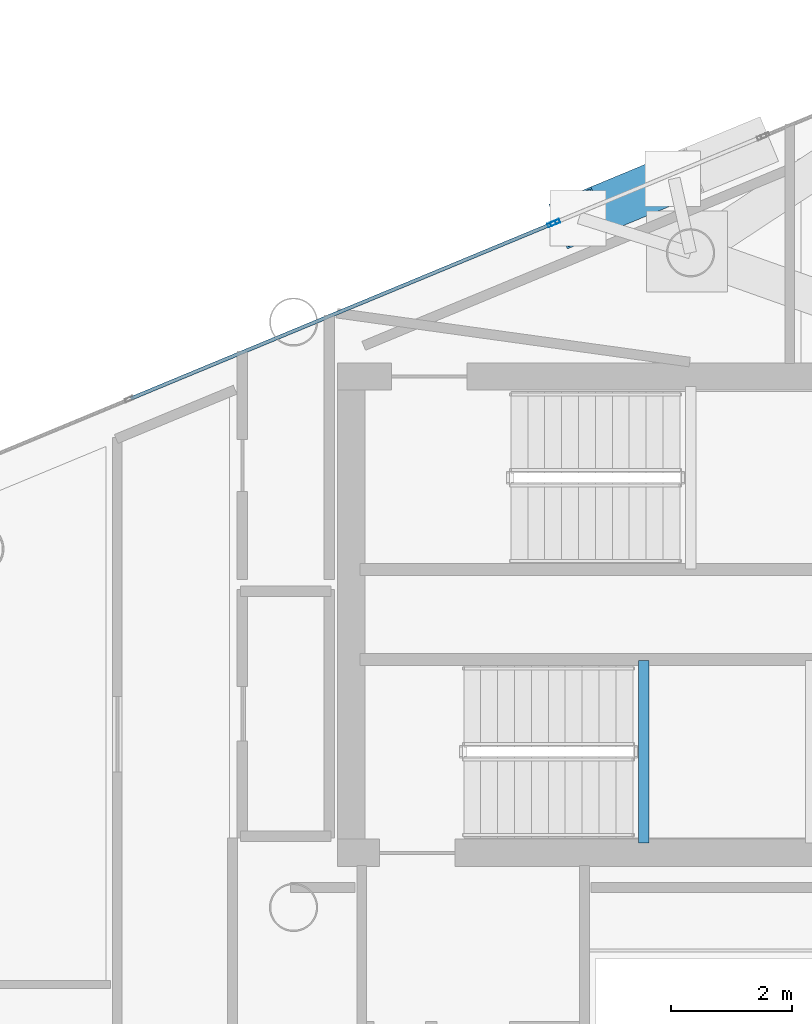
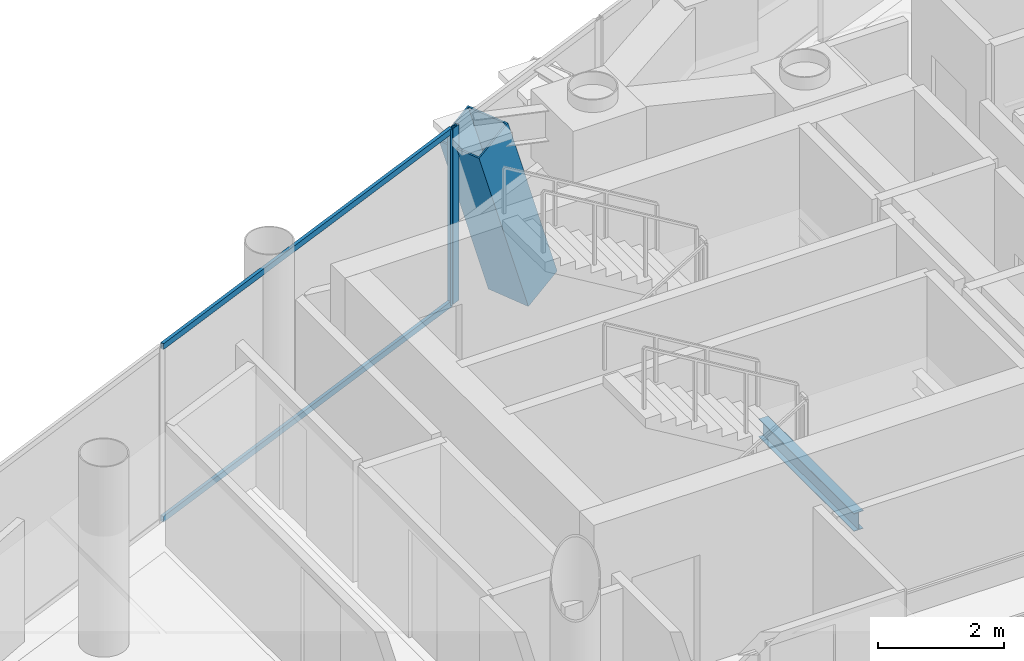
# One storey, part 7 of 18: 5 members, 1 beam, 2 elements without a shape of their own.
"""IFC4 building model written with IfcOpenShell, lengths in metres."""

from ifc_helpers import new_model, si_unit, direction, frame, origin, origin_2d, place, context, subcontext, project, spatial, hollow_rectangle, i_section, extrude, material, layer, layer_set, material_profile, profile_set, type_object, element, aggregate, save


model = new_model("IFC4")

# Units and contexts
model_context = context("Model", 3, precision=1e-05, world=origin(), true_north=direction((0.0, 1.0)))
body_context = subcontext(model_context, "Body", "Model", "MODEL_VIEW")
ifc_project = project(units=[si_unit("LENGTHUNIT", "METRE"), si_unit("AREAUNIT", "SQUARE_METRE"), si_unit("VOLUMEUNIT", "CUBIC_METRE"), si_unit("PLANEANGLEUNIT", "RADIAN"), si_unit("MASSUNIT", "GRAM", prefix="KILO")], contexts=[model_context])

# Site, building, storey
site_placement = place(None, origin())
site = spatial("IfcSite", under=ifc_project, at=site_placement, CompositionType="ELEMENT")
building_placement = place(site_placement, origin())
building = spatial("IfcBuilding", under=site, at=building_placement, Name="Qianvela Tower", CompositionType="ELEMENT")
storey_placement = place(building_placement, frame((0.0, 0.0, 348.10009765625)))
storey = spatial("IfcBuildingStorey", under=building, at=storey_placement, Name="L90", CompositionType="ELEMENT", Elevation=348.10009765625)

# Beam
ifc_material_1 = material(Name="Steel Q355B", Category="steel")
ifc_material_profile_1 = material_profile(ifc_material_1, i_section(OverallWidth=0.175048828125, OverallDepth=0.35009765625, WebThickness=0.007080078125, FlangeThickness=0.010986328125, at=origin_2d()), Name="HN350x175x7x11")
ifc_profile_set_1 = profile_set([ifc_material_profile_1], Name="Steel Q355B")
beam_type = type_object("IfcBeamType", Name="BM-HN350-JOIST", PredefinedType="JOIST", material=ifc_profile_set_1)
beam_placement = place(storey_placement, frame((34.39990234375, 24.919921875, 1.474853515625), z_axis=(0.0, 1.0, 0.0), x_axis=(-1.0, 0.0, 0.0)))
element("IfcBeam", 1, at=beam_placement, inside=storey, type_object=beam_type, Name="L90 Stair ST-2 Landing Support Beam 1.1", PredefinedType="JOIST", context=body_context, shape_type="SweptSolid", body=[
    extrude(i_section(OverallWidth=0.175048828125, OverallDepth=0.35009765625, WebThickness=0.007080078125, FlangeThickness=0.010986328125, at=origin_2d()), origin(), (0.0, 0.0, 1.0), 3.02001953125),
])

# Curtain wall, member
ifc_material_2 = material(Name="Anodised Architectural Aluminium and Insulated Spandrel Panel", Category="aluminium")
ifc_layer_1 = layer(ifc_material_2, 0.179931640625)
ifc_layer_set_1 = layer_set([ifc_layer_1], Name="Anodised Architectural Aluminium and Insulated Spandrel Panel")
curtain_wall_type_1 = type_object("IfcCurtainWallType", Name="CW-BRACEBAY", PredefinedType="USERDEFINED", material=ifc_layer_set_1)
curtain_wall_1_placement = place(storey_placement, origin())
curtain_wall_1 = element("IfcCurtainWall", 2, at=curtain_wall_1_placement, inside=storey, type_object=curtain_wall_type_1, Name="L90 CW-BRACEBAY Curtain Wall 02B", ObjectType="CURTAIN_WALL_SYSTEM", PredefinedType="USERDEFINED")
ifc_material_3 = material(Name="Anodised Architectural Aluminium 6063-T6", Category="aluminium")
ifc_material_profile_2 = material_profile(ifc_material_3, hollow_rectangle(XDim=0.06494140625, YDim=0.159912109375, WallThickness=0.0048828125, at=origin_2d()), Name="ALU-MULL-65x160")
ifc_profile_set_2 = profile_set([ifc_material_profile_2], Name="Anodised Architectural Aluminium 6063-T6")
member_type_1 = type_object("IfcMemberType", Name="CW-BRACEBAY-MULL", PredefinedType="MULLION", material=ifc_profile_set_2)
member_1_placement = place(storey_placement, frame((32.934814453125, 35.196533203125, 0.0), z_axis=(0.0, 0.0, 1.0), x_axis=(0.383132606476, -0.923693350552, 0.0)))
member_1 = element("IfcMember", 3, at=member_1_placement, type_object=member_type_1, Name="CW-9 mullion 2", PredefinedType="MULLION", context=body_context, shape_type="SweptSolid", body=[
    extrude(hollow_rectangle(XDim=0.06494140625, YDim=0.159912109375, WallThickness=0.0048828125, at=origin_2d()), origin(), (0.0, 0.0, 1.0), 3.39990234375),
])
aggregate(curtain_wall_1, [member_1])

# Curtain wall, members
ifc_material_4 = material(Name="Anodised Architectural Aluminium and Low-E Glass", Category="aluminium")
ifc_layer_2 = layer(ifc_material_4, 0.14990234375)
ifc_layer_set_2 = layer_set([ifc_layer_2], Name="Anodised Architectural Aluminium and Low-E Glass")
curtain_wall_type_2 = type_object("IfcCurtainWallType", Name="CW-COLIV-Z78", PredefinedType="USERDEFINED", material=ifc_layer_set_2)
curtain_wall_2_placement = place(storey_placement, origin())
curtain_wall_2 = element("IfcCurtainWall", 4, at=curtain_wall_2_placement, inside=storey, type_object=curtain_wall_type_2, Name="L90 CW-COLIV-Z78 Curtain Wall 02C", ObjectType="CURTAIN_WALL_SYSTEM", PredefinedType="USERDEFINED")
ifc_material_5 = material(Name="Anodised Architectural Aluminium 6063-T6", Category="aluminium")
ifc_material_profile_3 = material_profile(ifc_material_5, hollow_rectangle(XDim=0.06005859375, YDim=0.139892578125, WallThickness=0.00439453125, at=origin_2d()), Name="ALU-MULL-60x140")
ifc_profile_set_3 = profile_set([ifc_material_profile_3], Name="Anodised Architectural Aluminium 6063-T6")
member_type_2 = type_object("IfcMemberType", Name="CW-COLIV-Z78-MULL", PredefinedType="MULLION", material=ifc_profile_set_3)
member_2_placement = place(storey_placement, frame((32.877197265625, 35.172607421875, 0.0), z_axis=(0.0, 0.0, 1.0), x_axis=(0.383115136645, -0.923700596554, 0.0)))
member_2 = element("IfcMember", 5, at=member_2_placement, type_object=member_type_2, Name="CW-6 mullion 1", PredefinedType="MULLION", context=body_context, shape_type="SweptSolid", body=[
    extrude(hollow_rectangle(XDim=0.06005859375, YDim=0.139892578125, WallThickness=0.00439453125, at=origin_2d()), origin(), (0.0, 0.0, 1.0), 3.39990234375),
])
ifc_material_6 = material(Name="Anodised Architectural Aluminium 6063-T6", Category="aluminium")
ifc_material_profile_4 = material_profile(ifc_material_6, hollow_rectangle(XDim=0.06005859375, YDim=0.114990234375, WallThickness=0.00390625, at=origin_2d()), Name="ALU-TRAN-60x115")
ifc_profile_set_4 = profile_set([ifc_material_profile_4], Name="Anodised Architectural Aluminium 6063-T6")
member_type_3 = type_object("IfcMemberType", Name="CW-COLIV-Z78-TRAN", PredefinedType="USERDEFINED", material=ifc_profile_set_4)
member_3_placement = place(storey_placement, frame((32.849365234375, 35.1611328125, 0.02978515625), z_axis=(-0.923703999502, -0.383106931945, 0.0), x_axis=(0.383106931945, -0.923703999502, 0.0)))
member_3 = element("IfcMember", 6, at=member_3_placement, type_object=member_type_3, Name="CW-6 transom 1.1", ObjectType="TRANSOM", PredefinedType="USERDEFINED", context=body_context, shape_type="SweptSolid", body=[
    extrude(hollow_rectangle(XDim=0.06005859375, YDim=0.114990234375, WallThickness=0.00390625, at=origin_2d()), origin(), (0.0, 0.0, 1.0), 7.5185546875),
])
member_4_placement = place(storey_placement, frame((32.849365234375, 35.1611328125, 3.369873046875), z_axis=(-0.923703999502, -0.383106931945, 0.0), x_axis=(0.383106931945, -0.923703999502, 0.0)))
member_4 = element("IfcMember", 7, at=member_4_placement, type_object=member_type_3, Name="CW-6 transom 1.2", ObjectType="TRANSOM", PredefinedType="USERDEFINED", context=body_context, shape_type="SweptSolid", body=[
    extrude(hollow_rectangle(XDim=0.06005859375, YDim=0.114990234375, WallThickness=0.00390625, at=origin_2d()), origin(), (0.0, 0.0, 1.0), 7.5185546875),
])
aggregate(curtain_wall_2, [member_2, member_3, member_4])

# Member
ifc_material_7 = material(Name="Steel Q420GJC", Category="steel")
ifc_material_profile_5 = material_profile(ifc_material_7, hollow_rectangle(XDim=0.800048828125, YDim=0.800048828125, WallThickness=0.028076171875, at=origin_2d()), Name="MBOX-800x800x28")
ifc_profile_set_5 = profile_set([ifc_material_profile_5], Name="Steel Q420GJC")
member_type_4 = type_object("IfcMemberType", Name="MBR-MBRACE-800", PredefinedType="BRACE", material=ifc_profile_set_5)
member_5_placement = place(storey_placement, frame((34.517333984375, 35.7666015625, -0.482177734375), z_axis=(-0.311835118784, -0.129407080994, 0.941282458182), x_axis=(0.383291989612, -0.923627224967, 0.0)))
element("IfcMember", 8, at=member_5_placement, inside=storey, type_object=member_type_4, Name="L90 Tier 15 Exterior Mega-Brace F1B", PredefinedType="BRACE", context=body_context, shape_type="SweptSolid", body=[
    extrude(hollow_rectangle(XDim=0.800048828125, YDim=0.800048828125, WallThickness=0.028076171875, at=origin_2d()), origin(), (0.0, 0.0, 1.0), 3.803466796875),
])

save(model, "model.ifc")
